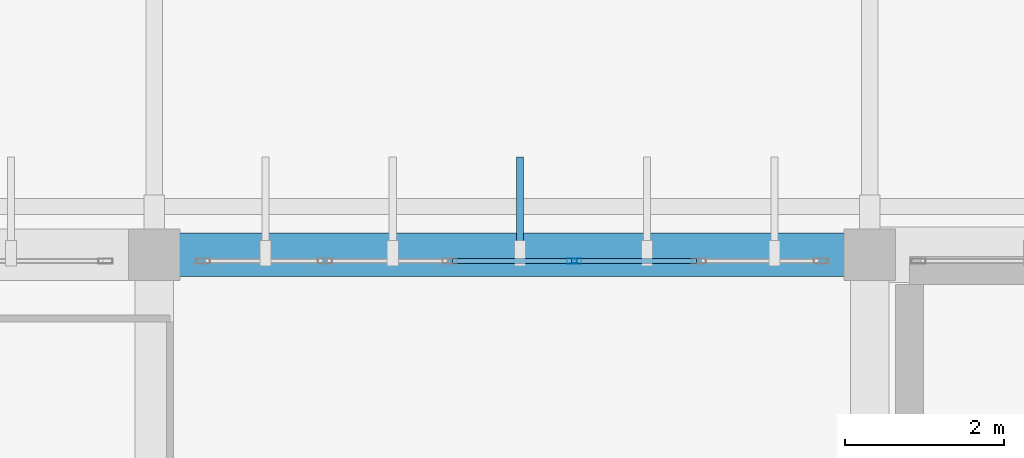
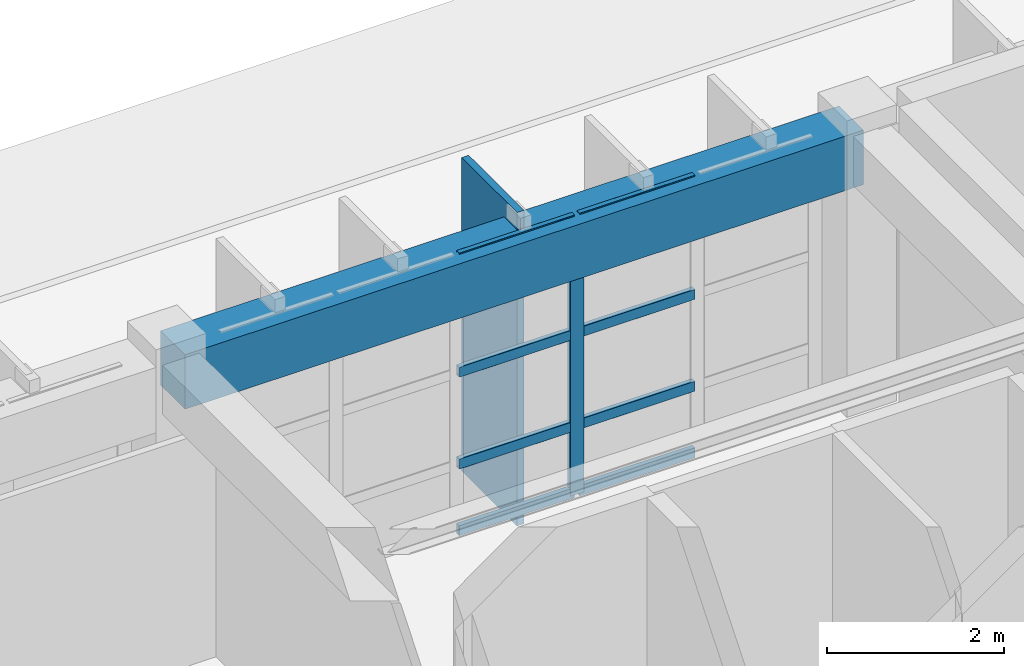
# One storey, part 39 of 80: 10 members, 1 beam, 1 element without a shape of its own.
"""IFC4 building model written with IfcOpenShell, lengths in metres."""

from ifc_helpers import new_model, si_unit, direction, frame, origin, origin_2d, place, context, subcontext, project, spatial, rectangle, hollow_rectangle, extrude, material, material_profile, profile_set, type_object, element, aggregate, save


model = new_model("IFC4")

# Units and contexts
model_context = context("Model", 3, precision=1e-05, world=origin(), true_north=direction((0.0, 1.0)))
body_context = subcontext(model_context, "Body", "Model", "MODEL_VIEW")
ifc_project = project(units=[si_unit("LENGTHUNIT", "METRE"), si_unit("AREAUNIT", "SQUARE_METRE"), si_unit("VOLUMEUNIT", "CUBIC_METRE"), si_unit("PLANEANGLEUNIT", "RADIAN"), si_unit("MASSUNIT", "GRAM", prefix="KILO")], contexts=[model_context])

# Site, building, storey
site_placement = place(None, origin())
site = spatial("IfcSite", under=ifc_project, at=site_placement, CompositionType="ELEMENT")
building_placement = place(site_placement, origin())
building = spatial("IfcBuilding", under=site, at=building_placement, Name="Miravela Opera House", CompositionType="ELEMENT")
storey_placement = place(building_placement, frame((0.0, 0.0, 17.679931640625)))
storey = spatial("IfcBuildingStorey", under=building, at=storey_placement, Name="L04", CompositionType="ELEMENT", Elevation=17.679931640625)

# Curtain wall, members
ifc_material_1 = material(Name="Anodised architectural bronze aluminium 6063-T6", Category="aluminium")
curtain_wall_type = type_object("IfcCurtainWallType", Name="ARC-CW-02", PredefinedType="NOTDEFINED", material=ifc_material_1)
curtain_wall_placement = place(storey_placement, origin())
curtain_wall = element("IfcCurtainWall", 1, at=curtain_wall_placement, inside=storey, type_object=curtain_wall_type, Name="Auditorium North Wrapper Glazing CW-L04-041", PredefinedType="NOTDEFINED")
ifc_material_profile_1 = material_profile(ifc_material_1, hollow_rectangle(XDim=0.06494140625, YDim=0.179931640625, WallThickness=0.00390625, InnerFilletRadius=0.001953125, OuterFilletRadius=0.00390625, at=origin_2d()), Name="CWM-65X180")
ifc_profile_set_1 = profile_set([ifc_material_profile_1])
member_type_1 = type_object("IfcMemberType", Name="ARC-CWM-180", PredefinedType="MULLION", material=ifc_profile_set_1)
member_1_placement = place(storey_placement, frame((41.283935546875, 74.919921875, 0.0), z_axis=(0.0, 0.0, 1.0), x_axis=(0.0, 1.0, 0.0)))
member_1 = element("IfcMember", 2, at=member_1_placement, type_object=member_type_1, Name="CW-02 mullion 4", PredefinedType="MULLION", context=body_context, shape_type="SweptSolid", body=[
    extrude(hollow_rectangle(XDim=0.06494140625, YDim=0.179931640625, WallThickness=0.00390625, InnerFilletRadius=0.001953125, OuterFilletRadius=0.00390625, at=origin_2d()), origin(), (0.0, 0.0, 1.0), 3.820068359375),
])
ifc_material_profile_2 = material_profile(ifc_material_1, hollow_rectangle(XDim=0.06494140625, YDim=0.139892578125, WallThickness=0.00390625, InnerFilletRadius=0.001953125, OuterFilletRadius=0.00390625, at=origin_2d()), Name="CWT-65X140")
ifc_profile_set_2 = profile_set([ifc_material_profile_2])
member_type_2 = type_object("IfcMemberType", Name="ARC-CWT-140", PredefinedType="USERDEFINED", material=ifc_profile_set_2)
member_2_placement = place(storey_placement, frame((39.74853515625, 74.919921875, 0.032470703125), z_axis=(1.0, 0.0, 0.0), x_axis=(0.0, 1.0, 0.0)))
member_2 = element("IfcMember", 3, at=member_2_placement, type_object=member_type_2, Name="CW-02 transom 3.1", ObjectType="TRANSOM", PredefinedType="USERDEFINED", context=body_context, shape_type="SweptSolid", body=[
    extrude(hollow_rectangle(XDim=0.06494140625, YDim=0.139892578125, WallThickness=0.00390625, InnerFilletRadius=0.001953125, OuterFilletRadius=0.00390625, at=origin_2d()), origin(), (0.0, 0.0, 1.0), 1.5029296875),
])
member_3_placement = place(storey_placement, frame((39.74853515625, 74.919921875, 0.949951171875), z_axis=(1.0, 0.0, 0.0), x_axis=(0.0, 1.0, 0.0)))
member_3 = element("IfcMember", 4, at=member_3_placement, type_object=member_type_2, Name="CW-02 transom 3.2", ObjectType="TRANSOM", PredefinedType="USERDEFINED", context=body_context, shape_type="SweptSolid", body=[
    extrude(hollow_rectangle(XDim=0.06494140625, YDim=0.139892578125, WallThickness=0.00390625, InnerFilletRadius=0.001953125, OuterFilletRadius=0.00390625, at=origin_2d()), origin(), (0.0, 0.0, 1.0), 1.5029296875),
])
member_4_placement = place(storey_placement, frame((39.74853515625, 74.919921875, 2.215576171875), z_axis=(1.0, 0.0, 0.0), x_axis=(0.0, 1.0, 0.0)))
member_4 = element("IfcMember", 5, at=member_4_placement, type_object=member_type_2, Name="CW-02 transom 3.3", ObjectType="TRANSOM", PredefinedType="USERDEFINED", context=body_context, shape_type="SweptSolid", body=[
    extrude(hollow_rectangle(XDim=0.06494140625, YDim=0.139892578125, WallThickness=0.00390625, InnerFilletRadius=0.001953125, OuterFilletRadius=0.00390625, at=origin_2d()), origin(), (0.0, 0.0, 1.0), 1.5029296875),
])
member_5_placement = place(storey_placement, frame((39.74853515625, 74.919921875, 3.78759765625), z_axis=(1.0, 0.0, 0.0), x_axis=(0.0, 1.0, 0.0)))
member_5 = element("IfcMember", 6, at=member_5_placement, type_object=member_type_2, Name="CW-02 transom 3.4", ObjectType="TRANSOM", PredefinedType="USERDEFINED", context=body_context, shape_type="SweptSolid", body=[
    extrude(hollow_rectangle(XDim=0.06494140625, YDim=0.139892578125, WallThickness=0.00390625, InnerFilletRadius=0.001953125, OuterFilletRadius=0.00390625, at=origin_2d()), origin(), (0.0, 0.0, 1.0), 1.5029296875),
])
member_6_placement = place(storey_placement, frame((41.31640625, 74.919921875, 0.032470703125), z_axis=(1.0, 0.0, 0.0), x_axis=(0.0, 1.0, 0.0)))
member_6 = element("IfcMember", 7, at=member_6_placement, type_object=member_type_2, Name="CW-02 transom 4.1", ObjectType="TRANSOM", PredefinedType="USERDEFINED", context=body_context, shape_type="SweptSolid", body=[
    extrude(hollow_rectangle(XDim=0.06494140625, YDim=0.139892578125, WallThickness=0.00390625, InnerFilletRadius=0.001953125, OuterFilletRadius=0.00390625, at=origin_2d()), origin(), (0.0, 0.0, 1.0), 1.503173828125),
])
member_7_placement = place(storey_placement, frame((41.31640625, 74.919921875, 0.949951171875), z_axis=(1.0, 0.0, 0.0), x_axis=(0.0, 1.0, 0.0)))
member_7 = element("IfcMember", 8, at=member_7_placement, type_object=member_type_2, Name="CW-02 transom 4.2", ObjectType="TRANSOM", PredefinedType="USERDEFINED", context=body_context, shape_type="SweptSolid", body=[
    extrude(hollow_rectangle(XDim=0.06494140625, YDim=0.139892578125, WallThickness=0.00390625, InnerFilletRadius=0.001953125, OuterFilletRadius=0.00390625, at=origin_2d()), origin(), (0.0, 0.0, 1.0), 1.503173828125),
])
member_8_placement = place(storey_placement, frame((41.31640625, 74.919921875, 2.215576171875), z_axis=(1.0, 0.0, 0.0), x_axis=(0.0, 1.0, 0.0)))
member_8 = element("IfcMember", 9, at=member_8_placement, type_object=member_type_2, Name="CW-02 transom 4.3", ObjectType="TRANSOM", PredefinedType="USERDEFINED", context=body_context, shape_type="SweptSolid", body=[
    extrude(hollow_rectangle(XDim=0.06494140625, YDim=0.139892578125, WallThickness=0.00390625, InnerFilletRadius=0.001953125, OuterFilletRadius=0.00390625, at=origin_2d()), origin(), (0.0, 0.0, 1.0), 1.503173828125),
])
member_9_placement = place(storey_placement, frame((41.31640625, 74.919921875, 3.78759765625), z_axis=(1.0, 0.0, 0.0), x_axis=(0.0, 1.0, 0.0)))
member_9 = element("IfcMember", 10, at=member_9_placement, type_object=member_type_2, Name="CW-02 transom 4.4", ObjectType="TRANSOM", PredefinedType="USERDEFINED", context=body_context, shape_type="SweptSolid", body=[
    extrude(hollow_rectangle(XDim=0.06494140625, YDim=0.139892578125, WallThickness=0.00390625, InnerFilletRadius=0.001953125, OuterFilletRadius=0.00390625, at=origin_2d()), origin(), (0.0, 0.0, 1.0), 1.503173828125),
])
aggregate(curtain_wall, [member_1, member_2, member_3, member_4, member_5, member_6, member_7, member_8, member_9])

# Member
ifc_material_profile_3 = material_profile(ifc_material_1, rectangle(XDim=0.090087890625, YDim=1.25, at=origin_2d()), Name="FIN-1250X90")
ifc_profile_set_3 = profile_set([ifc_material_profile_3])
member_type_3 = type_object("IfcMemberType", Name="ARC-FIN-1250", PredefinedType="USERDEFINED", material=ifc_profile_set_3)
member_10_placement = place(storey_placement, frame((40.60009765625, 75.60498046875, -0.239990234375), z_axis=(0.0, 0.0, 1.0), x_axis=(1.0, 0.0, 0.0)))
element("IfcMember", 11, at=member_10_placement, inside=storey, type_object=member_type_3, Name="Auditorium Wrapper Bronze Solar Fin FIN-L04-NORTH-0123", ObjectType="FIN", PredefinedType="USERDEFINED", context=body_context, shape_type="SweptSolid", body=[
    extrude(rectangle(XDim=0.090087890625, YDim=1.25, at=origin_2d()), origin(), (0.0, 0.0, 1.0), 4.320068359375),
])

# Beam
ifc_material_2 = material(Name="Concrete C35/45", Category="concrete")
ifc_material_profile_4 = material_profile(ifc_material_2, rectangle(XDim=0.550048828125, YDim=0.75, at=origin_2d()), Name="RC-BM-550X750")
ifc_profile_set_4 = profile_set([ifc_material_profile_4])
beam_type = type_object("IfcBeamType", Name="STR-BM-RC550X750", PredefinedType="BEAM", material=ifc_profile_set_4)
beam_placement = place(storey_placement, frame((36.080078125, 75.0, 3.465087890625), z_axis=(1.0, 0.0, 0.0), x_axis=(0.0, 1.0, 0.0)))
element("IfcBeam", 12, at=beam_placement, inside=storey, type_object=beam_type, Name="Floor Girder L04 5-6/I", PredefinedType="BEAM", context=body_context, shape_type="SweptSolid", body=[
    extrude(rectangle(XDim=0.550048828125, YDim=0.75, at=origin_2d()), origin(), (0.0, 0.0, 1.0), 8.83984375),
])

save(model, "model.ifc")
